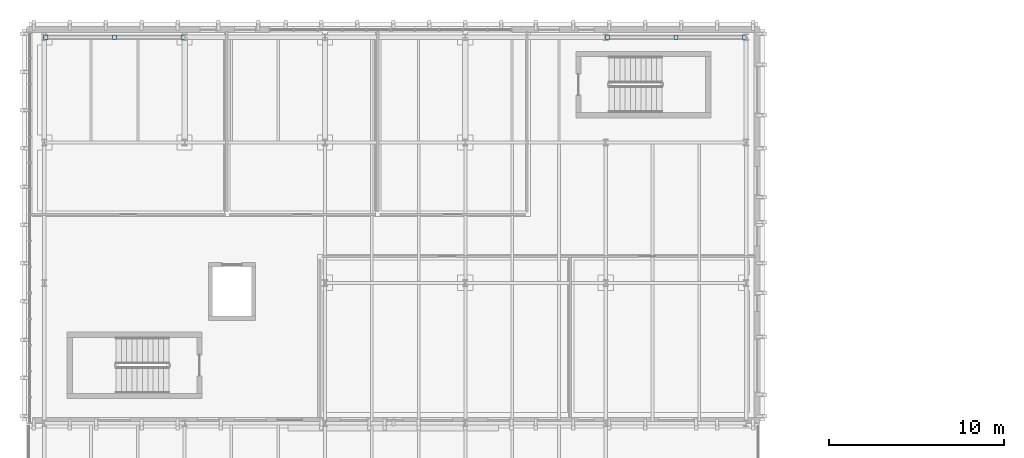
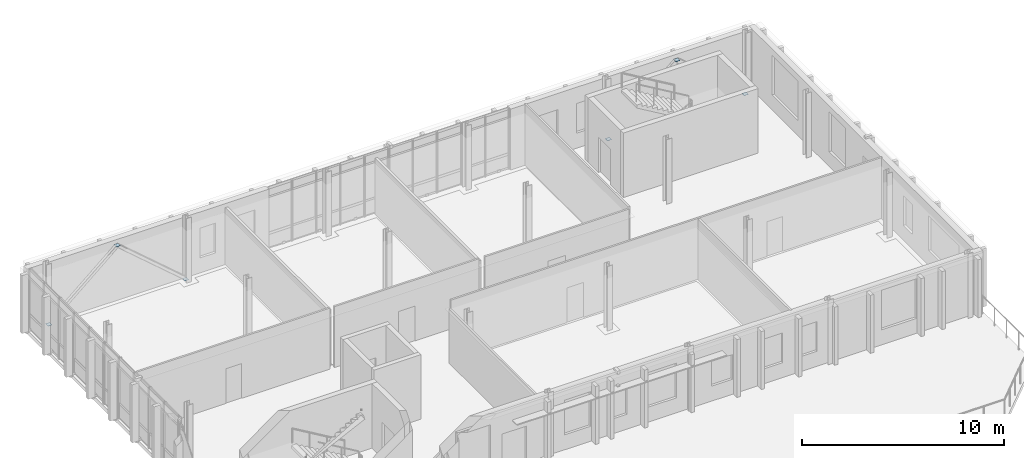
# One storey, part 22 of 43: 6 plates.
"""IFC4 building model written with IfcOpenShell, lengths in metres."""

from ifc_helpers import new_model, si_unit, direction, frame, origin, origin_2d, place, context, subcontext, project, spatial, rectangle, extrude, material, layer, layer_set, type_object, element, save


model = new_model("IFC4")

# Units and contexts
model_context = context("Model", 3, precision=1e-05, world=origin(), true_north=direction((0.0, 1.0)))
body_context = subcontext(model_context, "Body", "Model", "MODEL_VIEW")
ifc_project = project(units=[si_unit("LENGTHUNIT", "METRE"), si_unit("AREAUNIT", "SQUARE_METRE"), si_unit("VOLUMEUNIT", "CUBIC_METRE"), si_unit("PLANEANGLEUNIT", "RADIAN"), si_unit("MASSUNIT", "GRAM", prefix="KILO")], contexts=[model_context])

# Site, building, storey
site_placement = place(None, origin())
site = spatial("IfcSite", under=ifc_project, at=site_placement, CompositionType="ELEMENT")
building_placement = place(site_placement, origin())
building = spatial("IfcBuilding", under=site, at=building_placement, Name="Cymarion Research Institute", CompositionType="ELEMENT")
storey_placement = place(building_placement, frame((0.0, 0.0, 22.800048828125)))
storey = spatial("IfcBuildingStorey", under=building, at=storey_placement, Name="L05", CompositionType="ELEMENT", Elevation=22.800048828125)

# Plates
ifc_material = material(Name="Steel S355", Category="steel")
ifc_layer = layer(ifc_material, 0.011962890625)
ifc_layer_set = layer_set([ifc_layer], Name="Steel S355")
plate_type = type_object("IfcPlateType", Name="STEEL NODE GUSSET PLATE CP02 12MM", PredefinedType="USERDEFINED", material=ifc_layer_set)
for number, where, z_axis, x_axis, name in (
    (1, (10.60009765625, 115.5, 3.5341796875), (0.0, 0.0, 1.0), (1.0, 0.0, 0.0), "L05 V5 chevron apex gusset plate"),
    (2, (6.691162109375, 115.5, 0.11376953125), (0.0, 0.0, 1.0), (1.0, 0.0, 0.0), "L05 V5 chevron base gusset plate #1"),
    (3, (14.5087890625, 115.5, 0.11376953125), (0.0, 0.0, 1.0), (1.0, 0.0, 0.0), "L05 V5 chevron base gusset plate #2"),
    (4, (42.60009765625, 115.5, 3.5341796875), (0.0, 0.0, 1.0), (1.0, 0.0, 0.0), "L05 V5 chevron apex gusset plate"),
    (5, (38.691162109375, 115.5, 0.11376953125), (0.0, 0.0, 1.0), (1.0, 0.0, 0.0), "L05 V5 chevron base gusset plate #1"),
    (6, (46.5087890625, 115.5, 0.11376953125), (0.0, 0.0, 1.0), (1.0, 0.0, 0.0), "L05 V5 chevron base gusset plate #2"),
):
    element("IfcPlate", number, at=place(storey_placement, frame(where, z_axis=z_axis, x_axis=x_axis)), inside=storey, type_object=plate_type, Name=name, ObjectType="GUSSET PLATE", PredefinedType="USERDEFINED", context=body_context, shape_type="SweptSolid", body=[
        extrude(rectangle(XDim=0.239990234375, YDim=0.239990234375, at=origin_2d()), origin(), (0.0, 0.0, 1.0), 0.011962890625),
    ])

save(model, "model.ifc")
